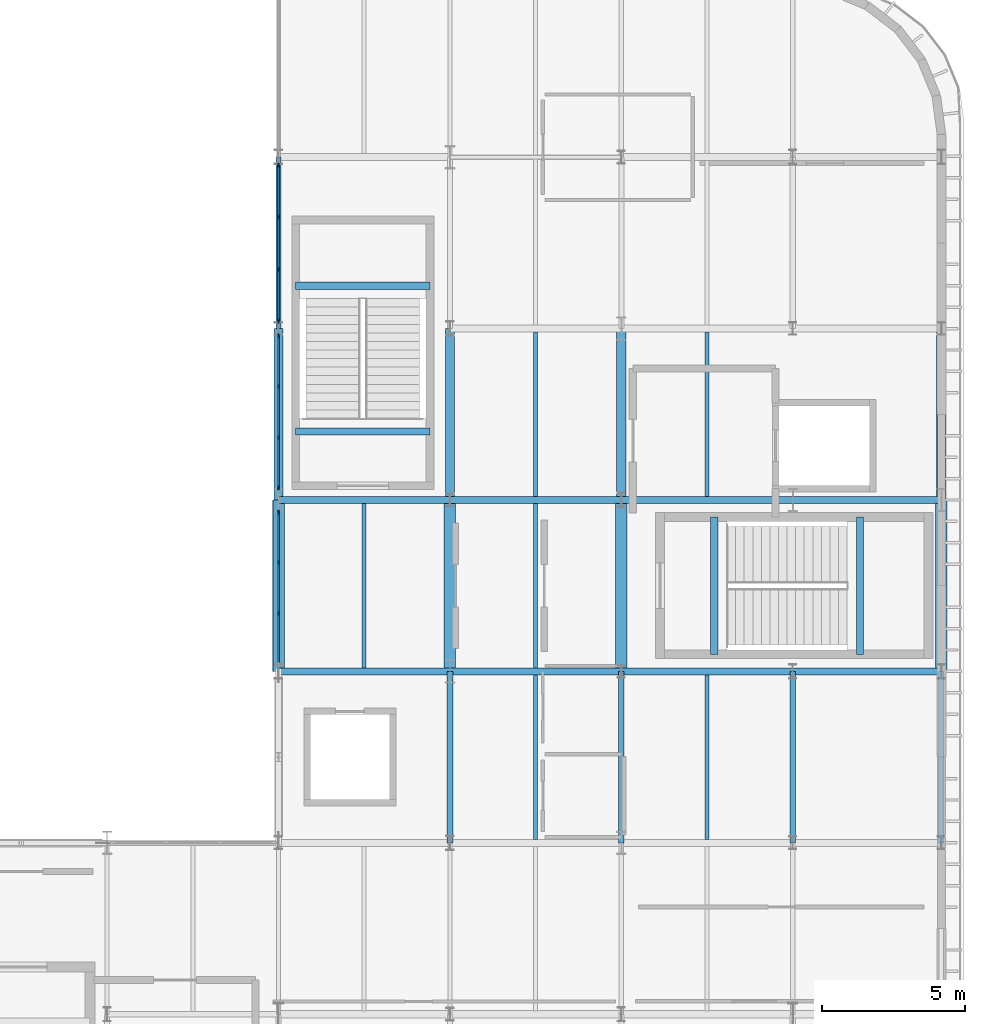
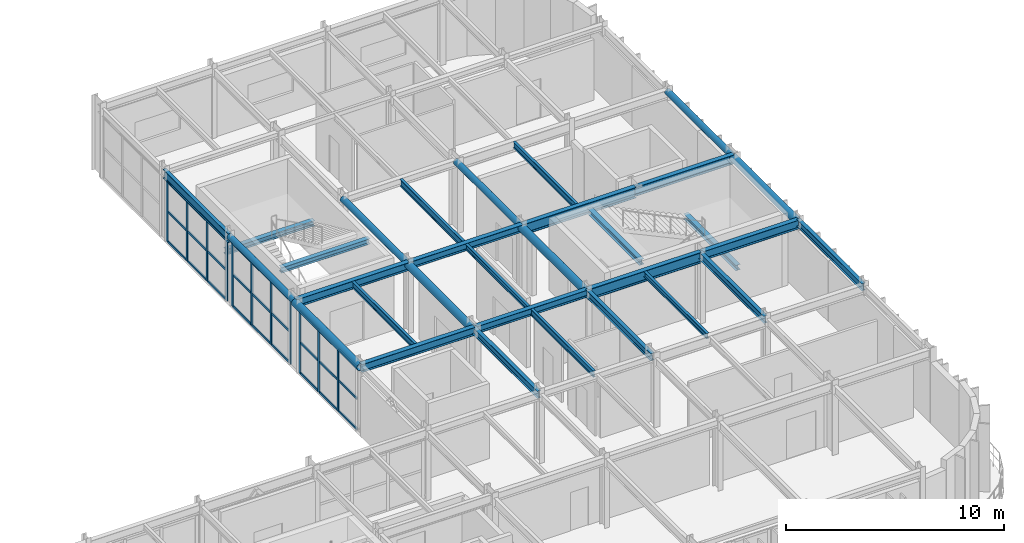
# One storey, part 45 of 83: 38 members, 31 beams, 3 elements without a shape of their own.
"""IFC4 building model written with IfcOpenShell, lengths in metres."""

from ifc_helpers import new_model, si_unit, direction, frame, origin, origin_2d, place, context, subcontext, project, spatial, rectangle, hollow_circle, i_section, extrude, material, material_profile, profile_set, type_object, element, aggregate, save


model = new_model("IFC4")

# Units and contexts
model_context = context("Model", 3, precision=1e-05, world=origin(), true_north=direction((0.0, 1.0)))
body_context = subcontext(model_context, "Body", "Model", "MODEL_VIEW")
ifc_project = project(units=[si_unit("LENGTHUNIT", "METRE"), si_unit("AREAUNIT", "SQUARE_METRE"), si_unit("VOLUMEUNIT", "CUBIC_METRE"), si_unit("PLANEANGLEUNIT", "RADIAN"), si_unit("MASSUNIT", "GRAM", prefix="KILO")], contexts=[model_context])

# Site, building, storey
site_placement = place(None, origin())
site = spatial("IfcSite", under=ifc_project, at=site_placement, CompositionType="ELEMENT")
building_placement = place(site_placement, origin())
building = spatial("IfcBuilding", under=site, at=building_placement, Name="Varnakota Square Police Headquarters", CompositionType="ELEMENT")
storey_placement = place(building_placement, frame((0.0, 0.0, 18.0)))
storey = spatial("IfcBuildingStorey", under=building, at=storey_placement, Name="L04", CompositionType="ELEMENT", Elevation=18.0)

# Beams
ifc_material_1 = material(Name="Steel IS 2062 Grade 350", Category="steel")
ifc_material_profile_1 = material_profile(ifc_material_1, hollow_circle(Radius=0.161865234375, WallThickness=0.0126953125, at=origin_2d()), Name="CHS 323.9x12.7")
ifc_profile_set_1 = profile_set([ifc_material_profile_1], Name="Steel IS 2062 Grade 350")
beam_type_1 = type_object("IfcBeamType", Name="BM-ARC-CHS324", PredefinedType="BEAM", material=ifc_profile_set_1)
for number, where, z_axis, x_axis, name in (
    (1, (138.0, 27.0, 3.738037109375), (0.0, 1.0, 0.0), (-1.0, 0.0, 0.0), "BMG-L04-2995"),
    (2, (144.0, 27.0, 3.738037109375), (0.0, 1.0, 0.0), (-1.0, 0.0, 0.0), "BMG-L04-3002"),
    (3, (150.0, 27.0, 3.738037109375), (0.0, 1.0, 0.0), (-1.0, 0.0, 0.0), "BMG-L04-3009"),
    (4, (161.199951171875, 27.0, 3.738037109375), (0.0, 1.0, 0.0), (-1.0, 0.0, 0.0), "BMG-L04-3020"),
):
    element("IfcBeam", number, at=place(storey_placement, frame(where, z_axis=z_axis, x_axis=x_axis)), inside=storey, type_object=beam_type_1, Name=name, PredefinedType="BEAM", context=body_context, shape_type="SweptSolid", body=[
        extrude(hollow_circle(Radius=0.161865234375, WallThickness=0.0126953125, at=origin_2d()), origin(), (0.0, 0.0, 1.0), 6.0),
    ])
ifc_material_profile_2 = material_profile(ifc_material_1, hollow_circle(Radius=0.203125, WallThickness=0.01611328125, at=origin_2d()), Name="CHS 406.4x16.0")
ifc_profile_set_2 = profile_set([ifc_material_profile_2], Name="Steel IS 2062 Grade 350")
beam_type_2 = type_object("IfcBeamType", Name="BM-ARC-CHS406", PredefinedType="BEAM", material=ifc_profile_set_2)
for number, where, z_axis, x_axis, name in (
    (5, (138.0, 21.0, 3.69677734375), (0.0, 1.0, 0.0), (-1.0, 0.0, 0.0), "BMG-L04-2994"),
    (6, (144.0, 21.0, 3.69677734375), (0.0, 1.0, 0.0), (-1.0, 0.0, 0.0), "BMG-L04-3001"),
    (7, (150.0, 21.0, 3.69677734375), (0.0, 1.0, 0.0), (-1.0, 0.0, 0.0), "BMG-L04-3008"),
    (8, (161.199951171875, 21.0, 3.69677734375), (0.0, 1.0, 0.0), (-1.0, 0.0, 0.0), "BMG-L04-3019"),
):
    element("IfcBeam", number, at=place(storey_placement, frame(where, z_axis=z_axis, x_axis=x_axis)), inside=storey, type_object=beam_type_2, Name=name, PredefinedType="BEAM", context=body_context, shape_type="SweptSolid", body=[
        extrude(hollow_circle(Radius=0.203125, WallThickness=0.01611328125, at=origin_2d()), origin(), (0.0, 0.0, 1.0), 6.0),
    ])
ifc_material_profile_3 = material_profile(ifc_material_1, i_section(OverallWidth=0.25, OverallDepth=0.300048828125, WebThickness=0.009521484375, FlangeThickness=0.010498046875, FilletRadius=0.011962890625, at=origin_2d()), Name="ISHB 300")
ifc_profile_set_3 = profile_set([ifc_material_profile_3], Name="Steel IS 2062 Grade 350")
beam_type_3 = type_object("IfcBeamType", Name="BM-ISHB300", PredefinedType="BEAM", material=ifc_profile_set_3)
for number, where, z_axis, x_axis, name in (
    (9, (158.3505859375, 21.60009765625, 1.783935546875), (0.0, 1.0, 0.0), (-1.0, 0.0, 0.0), "Stair landing support beam BM-LND-0025"),
    (10, (153.25, 21.60009765625, 3.8701171875), (0.0, 1.0, 0.0), (-1.0, 0.0, 0.0), "Stair landing support beam BM-LND-0026"),
):
    element("IfcBeam", number, at=place(storey_placement, frame(where, z_axis=z_axis, x_axis=x_axis)), inside=storey, type_object=beam_type_3, Name=name, PredefinedType="BEAM", context=body_context, shape_type="SweptSolid", body=[
        extrude(i_section(OverallWidth=0.25, OverallDepth=0.300048828125, WebThickness=0.009521484375, FlangeThickness=0.010498046875, FilletRadius=0.011962890625, at=origin_2d()), origin(), (0.0, 0.0, 1.0), 4.7998046875),
    ])
for number, where, z_axis, x_axis, name in (
    (11, (138.60009765625, 34.500732421875, 1.7880859375), (1.0, 0.0, 0.0), (0.0, 1.0, 0.0), "Stair landing support beam BM-LND-0040"),
    (12, (138.60009765625, 29.400146484375, 3.8701171875), (1.0, 0.0, 0.0), (0.0, 1.0, 0.0), "Stair landing support beam BM-LND-0041"),
):
    element("IfcBeam", number, at=place(storey_placement, frame(where, z_axis=z_axis, x_axis=x_axis)), inside=storey, type_object=beam_type_3, Name=name, PredefinedType="BEAM", context=body_context, shape_type="SweptSolid", body=[
        extrude(i_section(OverallWidth=0.25, OverallDepth=0.300048828125, WebThickness=0.009521484375, FlangeThickness=0.010498046875, FilletRadius=0.011962890625, at=origin_2d()), origin(), (0.0, 0.0, 1.0), 4.699951171875),
    ])
ifc_material_profile_4 = material_profile(ifc_material_1, i_section(OverallWidth=0.25, OverallDepth=0.39990234375, WebThickness=0.010498046875, FlangeThickness=0.0126953125, FilletRadius=0.013916015625, at=origin_2d()), Name="ISHB 400")
ifc_profile_set_4 = profile_set([ifc_material_profile_4], Name="Steel IS 2062 Grade 350")
beam_type_4 = type_object("IfcBeamType", Name="BM-ISHB400", PredefinedType="BEAM", material=ifc_profile_set_4)
for number, where, z_axis, x_axis, name in (
    (13, (144.0, 21.0, 3.699951171875), (1.0, 0.0, 0.0), (0.0, 1.0, 0.0), "BMG-L04-2874"),
    (14, (144.0, 27.0, 3.699951171875), (1.0, 0.0, 0.0), (0.0, 1.0, 0.0), "BMG-L04-2884"),
):
    element("IfcBeam", number, at=place(storey_placement, frame(where, z_axis=z_axis, x_axis=x_axis)), inside=storey, type_object=beam_type_4, Name=name, PredefinedType="BEAM", context=body_context, shape_type="SweptSolid", body=[
        extrude(i_section(OverallWidth=0.25, OverallDepth=0.39990234375, WebThickness=0.010498046875, FlangeThickness=0.0126953125, FilletRadius=0.013916015625, at=origin_2d()), origin(), (0.0, 0.0, 1.0), 6.0),
    ])
ifc_material_profile_5 = material_profile(ifc_material_1, i_section(OverallWidth=0.25, OverallDepth=0.449951171875, WebThickness=0.01123046875, FlangeThickness=0.013671875, FilletRadius=0.014892578125, at=origin_2d()), Name="ISHB 450")
ifc_profile_set_5 = profile_set([ifc_material_profile_5], Name="Steel IS 2062 Grade 350")
beam_type_5 = type_object("IfcBeamType", Name="BM-ISHB450", PredefinedType="BEAM", material=ifc_profile_set_5)
for number, where, z_axis, x_axis, name in (
    (15, (138.0, 21.0, 3.675048828125), (1.0, 0.0, 0.0), (0.0, 1.0, 0.0), "BMG-L04-2873"),
    (16, (138.0, 27.0, 3.675048828125), (1.0, 0.0, 0.0), (0.0, 1.0, 0.0), "BMG-L04-2883"),
):
    element("IfcBeam", number, at=place(storey_placement, frame(where, z_axis=z_axis, x_axis=x_axis)), inside=storey, type_object=beam_type_5, Name=name, PredefinedType="BEAM", context=body_context, shape_type="SweptSolid", body=[
        extrude(i_section(OverallWidth=0.25, OverallDepth=0.449951171875, WebThickness=0.01123046875, FlangeThickness=0.013671875, FilletRadius=0.014892578125, at=origin_2d()), origin(), (0.0, 0.0, 1.0), 6.0),
    ])
ifc_material_profile_6 = material_profile(ifc_material_1, i_section(OverallWidth=0.139892578125, OverallDepth=0.300048828125, WebThickness=0.0078125, FlangeThickness=0.01318359375, FilletRadius=0.013916015625, at=origin_2d()), Name="ISMB 300")
ifc_profile_set_6 = profile_set([ifc_material_profile_6], Name="Steel IS 2062 Grade 350")
beam_type_6 = type_object("IfcBeamType", Name="BM-ISMB300", PredefinedType="JOIST", material=ifc_profile_set_6)
for number, where, z_axis, x_axis, name in (
    (17, (147.0, 21.123046875, 3.75), (0.0, 1.0, 0.0), (-1.0, 0.0, 0.0), "BMG-L04-3064"),
    (18, (153.0, 15.123046875, 3.75), (0.0, 1.0, 0.0), (-1.0, 0.0, 0.0), "BMG-L04-3069"),
):
    element("IfcBeam", number, at=place(storey_placement, frame(where, z_axis=z_axis, x_axis=x_axis)), inside=storey, type_object=beam_type_6, Name=name, PredefinedType="JOIST", context=body_context, shape_type="SweptSolid", body=[
        extrude(i_section(OverallWidth=0.139892578125, OverallDepth=0.300048828125, WebThickness=0.0078125, FlangeThickness=0.01318359375, FilletRadius=0.013916015625, at=origin_2d()), origin(), (0.0, 0.0, 1.0), 5.75390625),
    ])
ifc_material_profile_7 = material_profile(ifc_material_1, i_section(OverallWidth=0.139892578125, OverallDepth=0.35009765625, WebThickness=0.008056640625, FlangeThickness=0.01416015625, FilletRadius=0.013916015625, at=origin_2d()), Name="ISMB 350")
ifc_profile_set_7 = profile_set([ifc_material_profile_7], Name="Steel IS 2062 Grade 350")
beam_type_7 = type_object("IfcBeamType", Name="BM-ISMB350", PredefinedType="JOIST", material=ifc_profile_set_7)
for number, where, z_axis, x_axis, name in (
    (19, (141.0, 21.123046875, 3.72509765625), (0.0, 1.0, 0.0), (-1.0, 0.0, 0.0), "BMG-L04-3060"),
    (20, (147.0, 15.123046875, 3.72509765625), (0.0, 1.0, 0.0), (-1.0, 0.0, 0.0), "BMG-L04-3063"),
    (21, (153.0, 27.123046875, 3.72509765625), (0.0, 1.0, 0.0), (-1.0, 0.0, 0.0), "BMG-L04-3070"),
):
    element("IfcBeam", number, at=place(storey_placement, frame(where, z_axis=z_axis, x_axis=x_axis)), inside=storey, type_object=beam_type_7, Name=name, PredefinedType="JOIST", context=body_context, shape_type="SweptSolid", body=[
        extrude(i_section(OverallWidth=0.139892578125, OverallDepth=0.35009765625, WebThickness=0.008056640625, FlangeThickness=0.01416015625, FilletRadius=0.013916015625, at=origin_2d()), origin(), (0.0, 0.0, 1.0), 5.75390625),
    ])
ifc_material_profile_8 = material_profile(ifc_material_1, i_section(OverallWidth=0.139892578125, OverallDepth=0.39990234375, WebThickness=0.0087890625, FlangeThickness=0.01611328125, FilletRadius=0.013916015625, at=origin_2d()), Name="ISMB 400")
ifc_profile_set_8 = profile_set([ifc_material_profile_8], Name="Steel IS 2062 Grade 350")
beam_type_8 = type_object("IfcBeamType", Name="BM-ISMB400", PredefinedType="JOIST", material=ifc_profile_set_8)
beam_1_placement = place(storey_placement, frame((147.0, 27.123046875, 3.699951171875), z_axis=(0.0, 1.0, 0.0), x_axis=(-1.0, 0.0, 0.0)))
element("IfcBeam", 22, at=beam_1_placement, inside=storey, type_object=beam_type_8, Name="BMG-L04-3065", PredefinedType="JOIST", context=body_context, shape_type="SweptSolid", body=[
    extrude(i_section(OverallWidth=0.139892578125, OverallDepth=0.39990234375, WebThickness=0.0087890625, FlangeThickness=0.01611328125, FilletRadius=0.013916015625, at=origin_2d()), origin(), (0.0, 0.0, 1.0), 5.75390625),
])
ifc_material_profile_9 = material_profile(ifc_material_1, i_section(OverallWidth=0.179931640625, OverallDepth=0.5, WebThickness=0.01025390625, FlangeThickness=0.01708984375, FilletRadius=0.01708984375, at=origin_2d()), Name="ISMB 500")
ifc_profile_set_9 = profile_set([ifc_material_profile_9], Name="Steel IS 2062 Grade 350")
beam_type_9 = type_object("IfcBeamType", Name="BM-ISMB500", PredefinedType="BEAM", material=ifc_profile_set_9)
beam_2_placement = place(storey_placement, frame((138.0, 33.0, 3.64990234375), z_axis=(0.0, 1.0, 0.0), x_axis=(-1.0, 0.0, 0.0)))
element("IfcBeam", 23, at=beam_2_placement, inside=storey, type_object=beam_type_9, Name="BMG-L04-2996", PredefinedType="BEAM", context=body_context, shape_type="SweptSolid", body=[
    extrude(i_section(OverallWidth=0.179931640625, OverallDepth=0.5, WebThickness=0.01025390625, FlangeThickness=0.01708984375, FilletRadius=0.01708984375, at=origin_2d()), origin(), (0.0, 0.0, 1.0), 6.0),
])
ifc_material_profile_10 = material_profile(ifc_material_1, i_section(OverallWidth=0.199951171875, OverallDepth=0.39990234375, WebThickness=0.008544921875, FlangeThickness=0.012939453125, FilletRadius=0.012939453125, at=origin_2d()), Name="ISWB 400")
ifc_profile_set_10 = profile_set([ifc_material_profile_10], Name="Steel IS 2062 Grade 350")
beam_type_10 = type_object("IfcBeamType", Name="BM-ISWB400", PredefinedType="BEAM", material=ifc_profile_set_10)
for number, where, z_axis, x_axis, name in (
    (24, (144.0, 15.0, 3.699951171875), (0.0, 1.0, 0.0), (-1.0, 0.0, 0.0), "BMG-L04-3000"),
    (25, (150.0, 15.0, 3.699951171875), (0.0, 1.0, 0.0), (-1.0, 0.0, 0.0), "BMG-L04-3007"),
    (26, (156.0, 15.0, 3.699951171875), (0.0, 1.0, 0.0), (-1.0, 0.0, 0.0), "BMG-L04-3014"),
    (27, (161.199951171875, 15.0, 3.699951171875), (0.0, 1.0, 0.0), (-1.0, 0.0, 0.0), "BMG-L04-3018"),
):
    element("IfcBeam", number, at=place(storey_placement, frame(where, z_axis=z_axis, x_axis=x_axis)), inside=storey, type_object=beam_type_10, Name=name, PredefinedType="BEAM", context=body_context, shape_type="SweptSolid", body=[
        extrude(i_section(OverallWidth=0.199951171875, OverallDepth=0.39990234375, WebThickness=0.008544921875, FlangeThickness=0.012939453125, FilletRadius=0.012939453125, at=origin_2d()), origin(), (0.0, 0.0, 1.0), 6.0),
    ])
ifc_material_profile_11 = material_profile(ifc_material_1, i_section(OverallWidth=0.25, OverallDepth=0.5, WebThickness=0.010009765625, FlangeThickness=0.0146484375, FilletRadius=0.014892578125, at=origin_2d()), Name="ISWB 500")
ifc_profile_set_11 = profile_set([ifc_material_profile_11], Name="Steel IS 2062 Grade 350")
beam_type_11 = type_object("IfcBeamType", Name="BM-ISWB500", PredefinedType="BEAM", material=ifc_profile_set_11)
for number, where, z_axis, x_axis, name in (
    (28, (156.0, 21.0, 3.64990234375), (1.0, 0.0, 0.0), (0.0, 1.0, 0.0), "BMG-L04-2876"),
    (29, (156.0, 27.0, 3.64990234375), (1.0, 0.0, 0.0), (0.0, 1.0, 0.0), "BMG-L04-2886"),
):
    element("IfcBeam", number, at=place(storey_placement, frame(where, z_axis=z_axis, x_axis=x_axis)), inside=storey, type_object=beam_type_11, Name=name, PredefinedType="BEAM", context=body_context, shape_type="SweptSolid", body=[
        extrude(i_section(OverallWidth=0.25, OverallDepth=0.5, WebThickness=0.010009765625, FlangeThickness=0.0146484375, FilletRadius=0.014892578125, at=origin_2d()), origin(), (0.0, 0.0, 1.0), 5.199951171875),
    ])
ifc_material_profile_12 = material_profile(ifc_material_1, i_section(OverallWidth=0.25, OverallDepth=0.60009765625, WebThickness=0.01171875, FlangeThickness=0.023681640625, FilletRadius=0.01708984375, at=origin_2d()), Name="ISWB 600")
ifc_profile_set_12 = profile_set([ifc_material_profile_12], Name="Steel IS 2062 Grade 350")
beam_type_12 = type_object("IfcBeamType", Name="BM-ISWB600", PredefinedType="BEAM", material=ifc_profile_set_12)
for number, where, z_axis, x_axis, name in (
    (30, (150.0, 21.0, 3.60009765625), (1.0, 0.0, 0.0), (0.0, 1.0, 0.0), "BMG-L04-2875"),
    (31, (150.0, 27.0, 3.60009765625), (1.0, 0.0, 0.0), (0.0, 1.0, 0.0), "BMG-L04-2885"),
):
    element("IfcBeam", number, at=place(storey_placement, frame(where, z_axis=z_axis, x_axis=x_axis)), inside=storey, type_object=beam_type_12, Name=name, PredefinedType="BEAM", context=body_context, shape_type="SweptSolid", body=[
        extrude(i_section(OverallWidth=0.25, OverallDepth=0.60009765625, WebThickness=0.01171875, FlangeThickness=0.023681640625, FilletRadius=0.01708984375, at=origin_2d()), origin(), (0.0, 0.0, 1.0), 6.0),
    ])

# Curtain wall, members
ifc_material_2 = material(Name="Anodised Aluminium Framing", Category="aluminium")
curtain_wall_type = type_object("IfcCurtainWallType", Name="CW-SYS-E", PredefinedType="NOTDEFINED", material=ifc_material_2)
curtain_wall_1_placement = place(storey_placement, origin())
curtain_wall_1 = element("IfcCurtainWall", 32, at=curtain_wall_1_placement, inside=storey, type_object=curtain_wall_type, Name="Unitised curtain wall CWG-L04-095", PredefinedType="NOTDEFINED")
ifc_material_3 = material(Name="Anodised Aluminium 6063-T6", Category="aluminium")
ifc_material_profile_13 = material_profile(ifc_material_3, rectangle(XDim=0.06494140625, YDim=0.159912109375, at=origin_2d()), Name="ALU MULLION 65x160")
ifc_profile_set_13 = profile_set([ifc_material_profile_13], Name="Anodised Aluminium 6063-T6")
member_type_1 = type_object("IfcMemberType", Name="CWM-150", PredefinedType="MULLION", material=ifc_profile_set_13)
member_1_placement = place(storey_placement, frame((138.0, 23.034912109375, 0.0), z_axis=(0.0, 0.0, 1.0), x_axis=(-1.0, 0.0, 0.0)))
member_1 = element("IfcMember", 33, at=member_1_placement, type_object=member_type_1, Name="CWG-L04-095 mullion 2", PredefinedType="MULLION", context=body_context, shape_type="SweptSolid", body=[
    extrude(rectangle(XDim=0.06494140625, YDim=0.159912109375, at=origin_2d()), origin(), (0.0, 0.0, 1.0), 3.483642578125),
])
member_2_placement = place(storey_placement, frame((138.0, 24.81494140625, 0.0), z_axis=(0.0, 0.0, 1.0), x_axis=(-1.0, 0.0, 0.0)))
member_2 = element("IfcMember", 34, at=member_2_placement, type_object=member_type_1, Name="CWG-L04-095 mullion 3", PredefinedType="MULLION", context=body_context, shape_type="SweptSolid", body=[
    extrude(rectangle(XDim=0.06494140625, YDim=0.159912109375, at=origin_2d()), origin(), (0.0, 0.0, 1.0), 3.483642578125),
])
member_3_placement = place(storey_placement, frame((138.0, 26.5625, 0.0), z_axis=(0.0, 0.0, 1.0), x_axis=(-1.0, 0.0, 0.0)))
member_3 = element("IfcMember", 35, at=member_3_placement, type_object=member_type_1, Name="CWG-L04-095 mullion 4", PredefinedType="MULLION", context=body_context, shape_type="SweptSolid", body=[
    extrude(rectangle(XDim=0.06494140625, YDim=0.159912109375, at=origin_2d()), origin(), (0.0, 0.0, 1.0), 3.483642578125),
])

curtain_wall_2_placement = place(storey_placement, origin())
curtain_wall_2 = element("IfcCurtainWall", 36, at=curtain_wall_2_placement, inside=storey, type_object=curtain_wall_type, Name="Unitised curtain wall CWG-L04-096", PredefinedType="NOTDEFINED")
member_4_placement = place(storey_placement, frame((138.0, 27.4375, 0.0), z_axis=(0.0, 0.0, 1.0), x_axis=(-1.0, 0.0, 0.0)))
member_4 = element("IfcMember", 37, at=member_4_placement, type_object=member_type_1, Name="CWG-L04-096 mullion 1", PredefinedType="MULLION", context=body_context, shape_type="SweptSolid", body=[
    extrude(rectangle(XDim=0.06494140625, YDim=0.159912109375, at=origin_2d()), origin(), (0.0, 0.0, 1.0), 3.566162109375),
])
member_5_placement = place(storey_placement, frame((138.0, 29.193359375, 0.0), z_axis=(0.0, 0.0, 1.0), x_axis=(-1.0, 0.0, 0.0)))
member_5 = element("IfcMember", 38, at=member_5_placement, type_object=member_type_1, Name="CWG-L04-096 mullion 2", PredefinedType="MULLION", context=body_context, shape_type="SweptSolid", body=[
    extrude(rectangle(XDim=0.06494140625, YDim=0.159912109375, at=origin_2d()), origin(), (0.0, 0.0, 1.0), 3.566162109375),
])
member_6_placement = place(storey_placement, frame((138.0, 30.981689453125, 0.0), z_axis=(0.0, 0.0, 1.0), x_axis=(-1.0, 0.0, 0.0)))
member_6 = element("IfcMember", 39, at=member_6_placement, type_object=member_type_1, Name="CWG-L04-096 mullion 3", PredefinedType="MULLION", context=body_context, shape_type="SweptSolid", body=[
    extrude(rectangle(XDim=0.06494140625, YDim=0.159912109375, at=origin_2d()), origin(), (0.0, 0.0, 1.0), 3.566162109375),
])
member_7_placement = place(storey_placement, frame((138.0, 32.737548828125, 0.0), z_axis=(0.0, 0.0, 1.0), x_axis=(-1.0, 0.0, 0.0)))
member_7 = element("IfcMember", 40, at=member_7_placement, type_object=member_type_1, Name="CWG-L04-096 mullion 4", PredefinedType="MULLION", context=body_context, shape_type="SweptSolid", body=[
    extrude(rectangle(XDim=0.06494140625, YDim=0.159912109375, at=origin_2d()), origin(), (0.0, 0.0, 1.0), 3.566162109375),
])

curtain_wall_3_placement = place(storey_placement, origin())
curtain_wall_3 = element("IfcCurtainWall", 41, at=curtain_wall_3_placement, inside=storey, type_object=curtain_wall_type, Name="Unitised curtain wall CWG-L04-097", PredefinedType="NOTDEFINED")
member_8_placement = place(storey_placement, frame((138.0, 33.262451171875, 0.0), z_axis=(0.0, 0.0, 1.0), x_axis=(-1.0, 0.0, 0.0)))
member_8 = element("IfcMember", 42, at=member_8_placement, type_object=member_type_1, Name="CWG-L04-097 mullion 1", PredefinedType="MULLION", context=body_context, shape_type="SweptSolid", body=[
    extrude(rectangle(XDim=0.06494140625, YDim=0.159912109375, at=origin_2d()), origin(), (0.0, 0.0, 1.0), 3.389892578125),
])
member_9_placement = place(storey_placement, frame((138.0, 35.068359375, 0.0), z_axis=(0.0, 0.0, 1.0), x_axis=(-1.0, 0.0, 0.0)))
member_9 = element("IfcMember", 43, at=member_9_placement, type_object=member_type_1, Name="CWG-L04-097 mullion 2", PredefinedType="MULLION", context=body_context, shape_type="SweptSolid", body=[
    extrude(rectangle(XDim=0.06494140625, YDim=0.159912109375, at=origin_2d()), origin(), (0.0, 0.0, 1.0), 3.389892578125),
])
member_10_placement = place(storey_placement, frame((138.0, 36.90673828125, 0.0), z_axis=(0.0, 0.0, 1.0), x_axis=(-1.0, 0.0, 0.0)))
member_10 = element("IfcMember", 44, at=member_10_placement, type_object=member_type_1, Name="CWG-L04-097 mullion 3", PredefinedType="MULLION", context=body_context, shape_type="SweptSolid", body=[
    extrude(rectangle(XDim=0.06494140625, YDim=0.159912109375, at=origin_2d()), origin(), (0.0, 0.0, 1.0), 3.389892578125),
])
member_11_placement = place(storey_placement, frame((138.0, 38.71240234375, 0.0), z_axis=(0.0, 0.0, 1.0), x_axis=(-1.0, 0.0, 0.0)))
member_11 = element("IfcMember", 45, at=member_11_placement, type_object=member_type_1, Name="CWG-L04-097 mullion 4", PredefinedType="MULLION", context=body_context, shape_type="SweptSolid", body=[
    extrude(rectangle(XDim=0.06494140625, YDim=0.159912109375, at=origin_2d()), origin(), (0.0, 0.0, 1.0), 3.389892578125),
])

# Member
ifc_material_profile_14 = material_profile(ifc_material_3, rectangle(XDim=0.06494140625, YDim=0.1298828125, at=origin_2d()), Name="ALU TRANSOM 65x130")
ifc_profile_set_14 = profile_set([ifc_material_profile_14], Name="Anodised Aluminium 6063-T6")
member_type_2 = type_object("IfcMemberType", Name="CWT-120", PredefinedType="USERDEFINED", material=ifc_profile_set_14)
member_12_placement = place(storey_placement, frame((138.0, 21.320068359375, 0.032470703125), z_axis=(0.0, 1.0, 0.0), x_axis=(-1.0, 0.0, 0.0)))
member_12 = element("IfcMember", 46, at=member_12_placement, type_object=member_type_2, Name="CWG-L04-095 transom 1.1", ObjectType="TRANSOM", PredefinedType="USERDEFINED", context=body_context, shape_type="SweptSolid", body=[
    extrude(rectangle(XDim=0.06494140625, YDim=0.1298828125, at=origin_2d()), origin(), (0.0, 0.0, 1.0), 1.682373046875),
])

member_13_placement = place(storey_placement, frame((138.0, 21.320068359375, 1.74169921875), z_axis=(0.0, 1.0, 0.0), x_axis=(-1.0, 0.0, 0.0)))
member_13 = element("IfcMember", 47, at=member_13_placement, type_object=member_type_2, Name="CWG-L04-095 transom 1.2", ObjectType="TRANSOM", PredefinedType="USERDEFINED", context=body_context, shape_type="SweptSolid", body=[
    extrude(rectangle(XDim=0.06494140625, YDim=0.1298828125, at=origin_2d()), origin(), (0.0, 0.0, 1.0), 1.682373046875),
])

member_14_placement = place(storey_placement, frame((138.0, 21.320068359375, 3.451171875), z_axis=(0.0, 1.0, 0.0), x_axis=(-1.0, 0.0, 0.0)))
member_14 = element("IfcMember", 48, at=member_14_placement, type_object=member_type_2, Name="CWG-L04-095 transom 1.3", ObjectType="TRANSOM", PredefinedType="USERDEFINED", context=body_context, shape_type="SweptSolid", body=[
    extrude(rectangle(XDim=0.06494140625, YDim=0.1298828125, at=origin_2d()), origin(), (0.0, 0.0, 1.0), 1.682373046875),
])

member_15_placement = place(storey_placement, frame((138.0, 23.0673828125, 0.032470703125), z_axis=(0.0, 1.0, 0.0), x_axis=(-1.0, 0.0, 0.0)))
member_15 = element("IfcMember", 49, at=member_15_placement, type_object=member_type_2, Name="CWG-L04-095 transom 2.1", ObjectType="TRANSOM", PredefinedType="USERDEFINED", context=body_context, shape_type="SweptSolid", body=[
    extrude(rectangle(XDim=0.06494140625, YDim=0.1298828125, at=origin_2d()), origin(), (0.0, 0.0, 1.0), 1.715087890625),
])

member_16_placement = place(storey_placement, frame((138.0, 23.0673828125, 1.74169921875), z_axis=(0.0, 1.0, 0.0), x_axis=(-1.0, 0.0, 0.0)))
member_16 = element("IfcMember", 50, at=member_16_placement, type_object=member_type_2, Name="CWG-L04-095 transom 2.2", ObjectType="TRANSOM", PredefinedType="USERDEFINED", context=body_context, shape_type="SweptSolid", body=[
    extrude(rectangle(XDim=0.06494140625, YDim=0.1298828125, at=origin_2d()), origin(), (0.0, 0.0, 1.0), 1.715087890625),
])

member_17_placement = place(storey_placement, frame((138.0, 23.0673828125, 3.451171875), z_axis=(0.0, 1.0, 0.0), x_axis=(-1.0, 0.0, 0.0)))
member_17 = element("IfcMember", 51, at=member_17_placement, type_object=member_type_2, Name="CWG-L04-095 transom 2.3", ObjectType="TRANSOM", PredefinedType="USERDEFINED", context=body_context, shape_type="SweptSolid", body=[
    extrude(rectangle(XDim=0.06494140625, YDim=0.1298828125, at=origin_2d()), origin(), (0.0, 0.0, 1.0), 1.715087890625),
])

member_18_placement = place(storey_placement, frame((138.0, 24.847412109375, 0.032470703125), z_axis=(0.0, 1.0, 0.0), x_axis=(-1.0, 0.0, 0.0)))
member_18 = element("IfcMember", 52, at=member_18_placement, type_object=member_type_2, Name="CWG-L04-095 transom 3.1", ObjectType="TRANSOM", PredefinedType="USERDEFINED", context=body_context, shape_type="SweptSolid", body=[
    extrude(rectangle(XDim=0.06494140625, YDim=0.1298828125, at=origin_2d()), origin(), (0.0, 0.0, 1.0), 1.6826171875),
])

member_19_placement = place(storey_placement, frame((138.0, 24.847412109375, 1.74169921875), z_axis=(0.0, 1.0, 0.0), x_axis=(-1.0, 0.0, 0.0)))
member_19 = element("IfcMember", 53, at=member_19_placement, type_object=member_type_2, Name="CWG-L04-095 transom 3.2", ObjectType="TRANSOM", PredefinedType="USERDEFINED", context=body_context, shape_type="SweptSolid", body=[
    extrude(rectangle(XDim=0.06494140625, YDim=0.1298828125, at=origin_2d()), origin(), (0.0, 0.0, 1.0), 1.6826171875),
])

member_20_placement = place(storey_placement, frame((138.0, 24.847412109375, 3.451171875), z_axis=(0.0, 1.0, 0.0), x_axis=(-1.0, 0.0, 0.0)))
member_20 = element("IfcMember", 54, at=member_20_placement, type_object=member_type_2, Name="CWG-L04-095 transom 3.3", ObjectType="TRANSOM", PredefinedType="USERDEFINED", context=body_context, shape_type="SweptSolid", body=[
    extrude(rectangle(XDim=0.06494140625, YDim=0.1298828125, at=origin_2d()), origin(), (0.0, 0.0, 1.0), 1.6826171875),
])

aggregate(curtain_wall_1, [member_1, member_2, member_3, member_12, member_13, member_14, member_15, member_16, member_17, member_18, member_19, member_20])

member_21_placement = place(storey_placement, frame((138.0, 27.469970703125, 0.032470703125), z_axis=(0.0, 1.0, 0.0), x_axis=(-1.0, 0.0, 0.0)))
member_21 = element("IfcMember", 55, at=member_21_placement, type_object=member_type_2, Name="CWG-L04-096 transom 1.1", ObjectType="TRANSOM", PredefinedType="USERDEFINED", context=body_context, shape_type="SweptSolid", body=[
    extrude(rectangle(XDim=0.06494140625, YDim=0.1298828125, at=origin_2d()), origin(), (0.0, 0.0, 1.0), 1.69091796875),
])

member_22_placement = place(storey_placement, frame((138.0, 27.469970703125, 1.782958984375), z_axis=(0.0, 1.0, 0.0), x_axis=(-1.0, 0.0, 0.0)))
member_22 = element("IfcMember", 56, at=member_22_placement, type_object=member_type_2, Name="CWG-L04-096 transom 1.2", ObjectType="TRANSOM", PredefinedType="USERDEFINED", context=body_context, shape_type="SweptSolid", body=[
    extrude(rectangle(XDim=0.06494140625, YDim=0.1298828125, at=origin_2d()), origin(), (0.0, 0.0, 1.0), 1.69091796875),
])

member_23_placement = place(storey_placement, frame((138.0, 27.469970703125, 3.53369140625), z_axis=(0.0, 1.0, 0.0), x_axis=(-1.0, 0.0, 0.0)))
member_23 = element("IfcMember", 57, at=member_23_placement, type_object=member_type_2, Name="CWG-L04-096 transom 1.3", ObjectType="TRANSOM", PredefinedType="USERDEFINED", context=body_context, shape_type="SweptSolid", body=[
    extrude(rectangle(XDim=0.06494140625, YDim=0.1298828125, at=origin_2d()), origin(), (0.0, 0.0, 1.0), 1.69091796875),
])

member_24_placement = place(storey_placement, frame((138.0, 29.225830078125, 0.032470703125), z_axis=(0.0, 1.0, 0.0), x_axis=(-1.0, 0.0, 0.0)))
member_24 = element("IfcMember", 58, at=member_24_placement, type_object=member_type_2, Name="CWG-L04-096 transom 2.1", ObjectType="TRANSOM", PredefinedType="USERDEFINED", context=body_context, shape_type="SweptSolid", body=[
    extrude(rectangle(XDim=0.06494140625, YDim=0.1298828125, at=origin_2d()), origin(), (0.0, 0.0, 1.0), 1.723388671875),
])

member_25_placement = place(storey_placement, frame((138.0, 29.225830078125, 1.782958984375), z_axis=(0.0, 1.0, 0.0), x_axis=(-1.0, 0.0, 0.0)))
member_25 = element("IfcMember", 59, at=member_25_placement, type_object=member_type_2, Name="CWG-L04-096 transom 2.2", ObjectType="TRANSOM", PredefinedType="USERDEFINED", context=body_context, shape_type="SweptSolid", body=[
    extrude(rectangle(XDim=0.06494140625, YDim=0.1298828125, at=origin_2d()), origin(), (0.0, 0.0, 1.0), 1.723388671875),
])

member_26_placement = place(storey_placement, frame((138.0, 29.225830078125, 3.53369140625), z_axis=(0.0, 1.0, 0.0), x_axis=(-1.0, 0.0, 0.0)))
member_26 = element("IfcMember", 60, at=member_26_placement, type_object=member_type_2, Name="CWG-L04-096 transom 2.3", ObjectType="TRANSOM", PredefinedType="USERDEFINED", context=body_context, shape_type="SweptSolid", body=[
    extrude(rectangle(XDim=0.06494140625, YDim=0.1298828125, at=origin_2d()), origin(), (0.0, 0.0, 1.0), 1.723388671875),
])

member_27_placement = place(storey_placement, frame((138.0, 31.01416015625, 0.032470703125), z_axis=(0.0, 1.0, 0.0), x_axis=(-1.0, 0.0, 0.0)))
member_27 = element("IfcMember", 61, at=member_27_placement, type_object=member_type_2, Name="CWG-L04-096 transom 3.1", ObjectType="TRANSOM", PredefinedType="USERDEFINED", context=body_context, shape_type="SweptSolid", body=[
    extrude(rectangle(XDim=0.06494140625, YDim=0.1298828125, at=origin_2d()), origin(), (0.0, 0.0, 1.0), 1.69091796875),
])

member_28_placement = place(storey_placement, frame((138.0, 31.01416015625, 1.782958984375), z_axis=(0.0, 1.0, 0.0), x_axis=(-1.0, 0.0, 0.0)))
member_28 = element("IfcMember", 62, at=member_28_placement, type_object=member_type_2, Name="CWG-L04-096 transom 3.2", ObjectType="TRANSOM", PredefinedType="USERDEFINED", context=body_context, shape_type="SweptSolid", body=[
    extrude(rectangle(XDim=0.06494140625, YDim=0.1298828125, at=origin_2d()), origin(), (0.0, 0.0, 1.0), 1.69091796875),
])

member_29_placement = place(storey_placement, frame((138.0, 31.01416015625, 3.53369140625), z_axis=(0.0, 1.0, 0.0), x_axis=(-1.0, 0.0, 0.0)))
member_29 = element("IfcMember", 63, at=member_29_placement, type_object=member_type_2, Name="CWG-L04-096 transom 3.3", ObjectType="TRANSOM", PredefinedType="USERDEFINED", context=body_context, shape_type="SweptSolid", body=[
    extrude(rectangle(XDim=0.06494140625, YDim=0.1298828125, at=origin_2d()), origin(), (0.0, 0.0, 1.0), 1.69091796875),
])

aggregate(curtain_wall_2, [member_4, member_5, member_6, member_7, member_21, member_22, member_23, member_24, member_25, member_26, member_27, member_28, member_29])

member_30_placement = place(storey_placement, frame((138.0, 33.294921875, 0.032470703125), z_axis=(0.0, 1.0, 0.0), x_axis=(-1.0, 0.0, 0.0)))
member_30 = element("IfcMember", 64, at=member_30_placement, type_object=member_type_2, Name="CWG-L04-097 transom 1.1", ObjectType="TRANSOM", PredefinedType="USERDEFINED", context=body_context, shape_type="SweptSolid", body=[
    extrude(rectangle(XDim=0.06494140625, YDim=0.1298828125, at=origin_2d()), origin(), (0.0, 0.0, 1.0), 1.740966796875),
])

member_31_placement = place(storey_placement, frame((138.0, 33.294921875, 1.695068359375), z_axis=(0.0, 1.0, 0.0), x_axis=(-1.0, 0.0, 0.0)))
member_31 = element("IfcMember", 65, at=member_31_placement, type_object=member_type_2, Name="CWG-L04-097 transom 1.2", ObjectType="TRANSOM", PredefinedType="USERDEFINED", context=body_context, shape_type="SweptSolid", body=[
    extrude(rectangle(XDim=0.06494140625, YDim=0.1298828125, at=origin_2d()), origin(), (0.0, 0.0, 1.0), 1.740966796875),
])

member_32_placement = place(storey_placement, frame((138.0, 33.294921875, 3.357421875), z_axis=(0.0, 1.0, 0.0), x_axis=(-1.0, 0.0, 0.0)))
member_32 = element("IfcMember", 66, at=member_32_placement, type_object=member_type_2, Name="CWG-L04-097 transom 1.3", ObjectType="TRANSOM", PredefinedType="USERDEFINED", context=body_context, shape_type="SweptSolid", body=[
    extrude(rectangle(XDim=0.06494140625, YDim=0.1298828125, at=origin_2d()), origin(), (0.0, 0.0, 1.0), 1.740966796875),
])

member_33_placement = place(storey_placement, frame((138.0, 35.100830078125, 0.032470703125), z_axis=(0.0, 1.0, 0.0), x_axis=(-1.0, 0.0, 0.0)))
member_33 = element("IfcMember", 67, at=member_33_placement, type_object=member_type_2, Name="CWG-L04-097 transom 2.1", ObjectType="TRANSOM", PredefinedType="USERDEFINED", context=body_context, shape_type="SweptSolid", body=[
    extrude(rectangle(XDim=0.06494140625, YDim=0.1298828125, at=origin_2d()), origin(), (0.0, 0.0, 1.0), 1.7734375),
])

member_34_placement = place(storey_placement, frame((138.0, 35.100830078125, 1.695068359375), z_axis=(0.0, 1.0, 0.0), x_axis=(-1.0, 0.0, 0.0)))
member_34 = element("IfcMember", 68, at=member_34_placement, type_object=member_type_2, Name="CWG-L04-097 transom 2.2", ObjectType="TRANSOM", PredefinedType="USERDEFINED", context=body_context, shape_type="SweptSolid", body=[
    extrude(rectangle(XDim=0.06494140625, YDim=0.1298828125, at=origin_2d()), origin(), (0.0, 0.0, 1.0), 1.7734375),
])

member_35_placement = place(storey_placement, frame((138.0, 35.100830078125, 3.357421875), z_axis=(0.0, 1.0, 0.0), x_axis=(-1.0, 0.0, 0.0)))
member_35 = element("IfcMember", 69, at=member_35_placement, type_object=member_type_2, Name="CWG-L04-097 transom 2.3", ObjectType="TRANSOM", PredefinedType="USERDEFINED", context=body_context, shape_type="SweptSolid", body=[
    extrude(rectangle(XDim=0.06494140625, YDim=0.1298828125, at=origin_2d()), origin(), (0.0, 0.0, 1.0), 1.7734375),
])

member_36_placement = place(storey_placement, frame((138.0, 36.939208984375, 0.032470703125), z_axis=(0.0, 1.0, 0.0), x_axis=(-1.0, 0.0, 0.0)))
member_36 = element("IfcMember", 70, at=member_36_placement, type_object=member_type_2, Name="CWG-L04-097 transom 3.1", ObjectType="TRANSOM", PredefinedType="USERDEFINED", context=body_context, shape_type="SweptSolid", body=[
    extrude(rectangle(XDim=0.06494140625, YDim=0.1298828125, at=origin_2d()), origin(), (0.0, 0.0, 1.0), 1.74072265625),
])

member_37_placement = place(storey_placement, frame((138.0, 36.939208984375, 1.695068359375), z_axis=(0.0, 1.0, 0.0), x_axis=(-1.0, 0.0, 0.0)))
member_37 = element("IfcMember", 71, at=member_37_placement, type_object=member_type_2, Name="CWG-L04-097 transom 3.2", ObjectType="TRANSOM", PredefinedType="USERDEFINED", context=body_context, shape_type="SweptSolid", body=[
    extrude(rectangle(XDim=0.06494140625, YDim=0.1298828125, at=origin_2d()), origin(), (0.0, 0.0, 1.0), 1.74072265625),
])

member_38_placement = place(storey_placement, frame((138.0, 36.939208984375, 3.357421875), z_axis=(0.0, 1.0, 0.0), x_axis=(-1.0, 0.0, 0.0)))
member_38 = element("IfcMember", 72, at=member_38_placement, type_object=member_type_2, Name="CWG-L04-097 transom 3.3", ObjectType="TRANSOM", PredefinedType="USERDEFINED", context=body_context, shape_type="SweptSolid", body=[
    extrude(rectangle(XDim=0.06494140625, YDim=0.1298828125, at=origin_2d()), origin(), (0.0, 0.0, 1.0), 1.74072265625),
])

aggregate(curtain_wall_3, [member_8, member_9, member_10, member_11, member_30, member_31, member_32, member_33, member_34, member_35, member_36, member_37, member_38])

save(model, "model.ifc")
